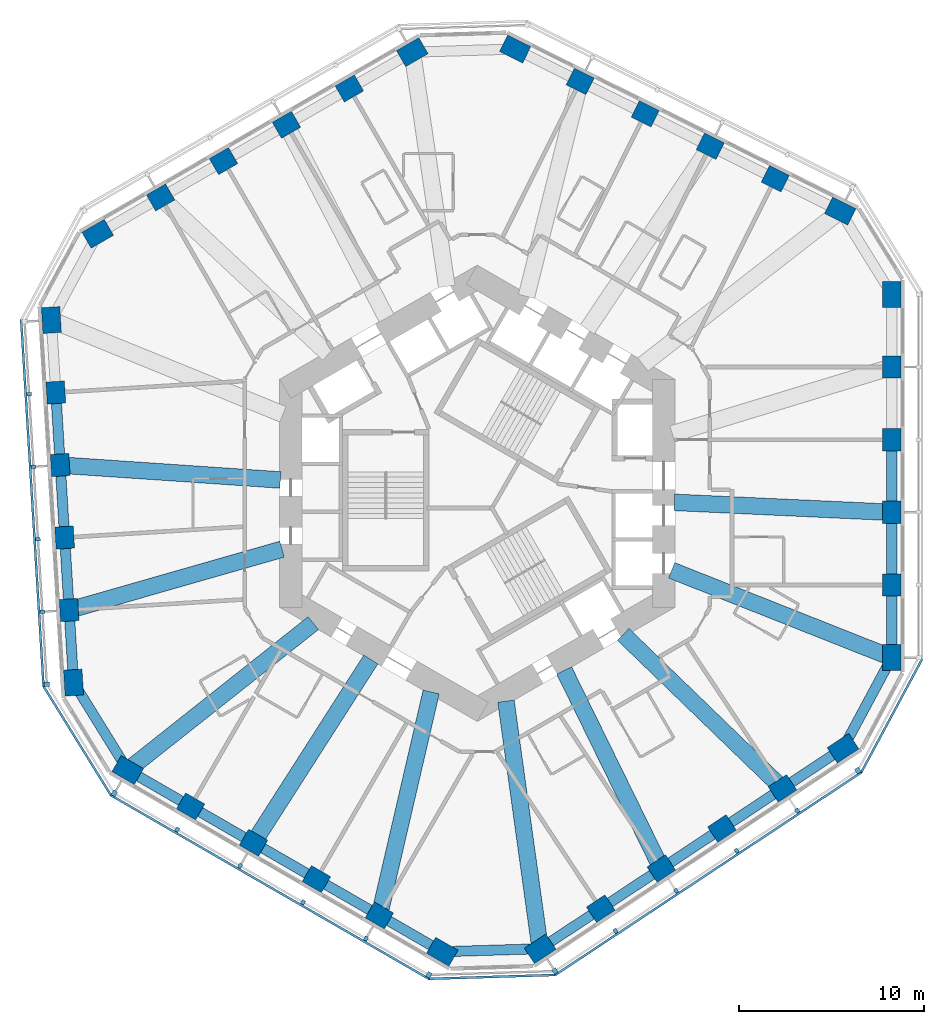
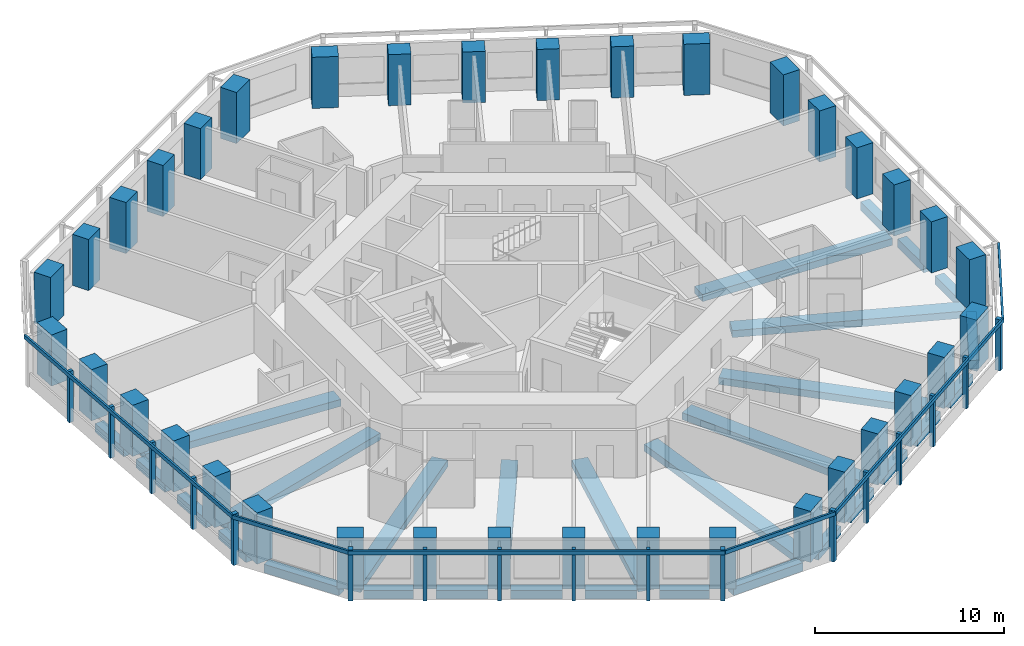
# One storey, part 1 of 12: 36 columns, 30 beams, 23 members, 6 elements without a shape of their own.
"""IFC4 building model written with IfcOpenShell, lengths in metres."""

import ifcopenshell
import ifcopenshell.guid

model = None  # the IFC model being written
_history = None  # IfcOwnerHistory: only IFC2X3 demands one
_inside = {}  # id of a spatial element -> (the spatial element, [elements in it])
_under = {}  # id of a project, library or spatial element -> (it, [spatial elements below it])
_declared = {}  # id of a project -> (the project, [libraries it declares])
_typed = {}  # id of a type object -> (the type object, [elements of that type])
_made_of = {}  # id of a material, layer set ... -> (it, [elements and type objects made of it])


def new_model(schema):
    """Start an empty IFC model of exactly this schema.

    Asked for "IFC4X3", IfcOpenShell would pick the latest addendum, in which some entities
    have other attributes; the version numbers below select the first issue.
    IFC2X3 requires an IfcOwnerHistory on every rooted entity: one is made here for all.
    """
    global model, _history
    if schema == "IFC4X3":
        model = ifcopenshell.file(schema_version=(4, 3, 0, 0))
    else:
        model = ifcopenshell.file(schema=schema)
    _inside.clear()
    _under.clear()
    _declared.clear()
    _typed.clear()
    _made_of.clear()
    _history = None
    if model.schema == "IFC2X3":
        org = make("IfcOrganization", Name="unknown")
        user = make(
            "IfcPersonAndOrganization",
            ThePerson=make("IfcPerson", FamilyName="unknown"),
            TheOrganization=org,
        )
        app = make(
            "IfcApplication",
            ApplicationDeveloper=org,
            Version="unknown",
            ApplicationFullName="unknown",
            ApplicationIdentifier="unknown",
        )
        _history = make(
            "IfcOwnerHistory",
            OwningUser=user,
            OwningApplication=app,
            ChangeAction="ADDED",
            CreationDate=0,
        )
    return model


def make(cls, **values):
    """One entity of the class cls with the attributes given. An attribute that is None is left unset."""
    return model.create_entity(
        cls, **{name: value for name, value in values.items() if value is not None}
    )


def rooted(cls, **values):
    """An entity with a GlobalId (a new one), such as an element, a storey or a relation."""
    return make(cls, GlobalId=ifcopenshell.guid.new(), OwnerHistory=_history, **values)


def si_unit(unit_type, name, prefix=None):
    """IfcSIUnit, for example si_unit("LENGTHUNIT", "METRE", prefix="MILLI")."""
    return make("IfcSIUnit", UnitType=unit_type, Prefix=prefix, Name=name)


def assignment(units):
    """IfcUnitAssignment: the units of a project."""
    return None if units is None else make("IfcUnitAssignment", Units=units)


def point(xyz):
    """IfcCartesianPoint."""
    return None if xyz is None else make("IfcCartesianPoint", Coordinates=xyz)


def direction(xyz):
    """IfcDirection."""
    return None if xyz is None else make("IfcDirection", DirectionRatios=xyz)


def frame(location, z_axis=None, x_axis=None):
    """IfcAxis2Placement3D, a coordinate frame: its origin and axes. An axis left out is left unset."""
    return make(
        "IfcAxis2Placement3D",
        Location=point(location),
        Axis=direction(z_axis),
        RefDirection=direction(x_axis),
    )


def frame_2d(location, x_axis=None):
    """IfcAxis2Placement2D, a coordinate frame in the plane: its origin and x axis."""
    return make(
        "IfcAxis2Placement2D", Location=point(location), RefDirection=direction(x_axis)
    )


def origin():
    """The frame at (0, 0, 0) with its axes left unset."""
    return frame((0.0, 0.0, 0.0))


def origin_2d():
    """The frame at (0, 0) in the plane with its x axis left unset."""
    return frame_2d((0.0, 0.0))


def place(relative_to, where):
    """IfcLocalPlacement: puts the frame where relative to a parent placement (None: the world)."""
    return make(
        "IfcLocalPlacement", PlacementRelTo=relative_to, RelativePlacement=where
    )


def context(
    kind, dimensions, precision=None, world=None, true_north=None, identifier=None
):
    """IfcGeometricRepresentationContext, for example the 3D "Model" context."""
    return make(
        "IfcGeometricRepresentationContext",
        ContextIdentifier=identifier,
        ContextType=kind,
        CoordinateSpaceDimension=dimensions,
        Precision=precision,
        WorldCoordinateSystem=world,
        TrueNorth=true_north,
    )


def subcontext(parent, identifier, kind, view, scale=None):
    """IfcGeometricRepresentationSubContext, for example "Body" below "Model"."""
    return make(
        "IfcGeometricRepresentationSubContext",
        ContextIdentifier=identifier,
        ContextType=kind,
        ParentContext=parent,
        TargetScale=scale,
        TargetView=view,
    )


def project(units=None, contexts=None):
    """IfcProject with its units and contexts."""
    return rooted(
        "IfcProject",
        Name="project",
        RepresentationContexts=contexts,
        UnitsInContext=assignment(units),
    )


def spatial(cls, under=None, at=None, **own):
    """A site, building, storey or space (cls), placed at a placement, below another one or the project."""
    s = rooted(cls, ObjectPlacement=at, **own)
    if under is not None:
        _under.setdefault(under.id(), (under, []))[1].append(s)
    return s


def profile(cls, at=None, kind="AREA", **sizes):
    """A parametric profile (cls). Its sizes go by their IFC names, for example OverallWidth=200.0."""
    return make(cls, ProfileType=kind, Position=at, **sizes)


def rectangle(**sizes):
    """IfcRectangleProfileDef."""
    return profile("IfcRectangleProfileDef", **sizes)


def extrude(swept, where, along, depth):
    """IfcExtrudedAreaSolid: the profile swept, set in the frame where, extruded along a direction by depth."""
    return make(
        "IfcExtrudedAreaSolid",
        SweptArea=swept,
        Position=where,
        ExtrudedDirection=direction(along),
        Depth=depth,
    )


def shape(context_of_items, identifier, shape_type, items):
    """IfcShapeRepresentation: the items that make up one representation, for example the "Body"."""
    return make(
        "IfcShapeRepresentation",
        ContextOfItems=context_of_items,
        RepresentationIdentifier=identifier,
        RepresentationType=shape_type,
        Items=items,
    )


def material(Name=None, Category=None):
    """IfcMaterial."""
    return make("IfcMaterial", Name=Name, Category=Category)


def material_profile(
    of_material, cross_section, Name=None, Category=None, Priority=None
):
    """IfcMaterialProfile: a cross section and its material."""
    return make(
        "IfcMaterialProfile",
        Name=Name,
        Material=of_material,
        Profile=cross_section,
        Priority=Priority,
        Category=Category,
    )


def profile_set(profiles, Name=None, composite=None):
    """IfcMaterialProfileSet."""
    return make(
        "IfcMaterialProfileSet",
        Name=Name,
        MaterialProfiles=profiles,
        CompositeProfile=composite,
    )


def made_of(thing, what):
    """Note that an element or type object is made of a material, layer set ...; save() writes the relation."""
    if what is not None:
        _made_of.setdefault(what.id(), (what, []))[1].append(thing)
    return thing


def type_object(cls, material=None, **own):
    """A type object (cls), such as IfcWallType, which elements share."""
    return made_of(rooted(cls, **own), material)


def element(
    cls,
    number,
    at=None,
    inside=None,
    cuts=None,
    type_object=None,
    material=None,
    context=None,
    identifier="Body",
    shape_type=None,
    held_by="IfcProductDefinitionShape",
    body=None,
    shapes=None,
    **own,
):
    """One element of the class cls, such as IfcWall. Its Tag is "e" and its number.

    at: its placement. inside: the storey or other place that contains it. cuts: it is an
    opening in that element (IfcRelVoidsElement). A single representation is given by context,
    identifier, shape_type and body (its items); several are given by shapes. held_by: the class
    of the entity that holds the representations. save() writes the other relations.
    """
    e = rooted(cls, Tag="e%d" % number, ObjectPlacement=at, **own)
    if body is not None:
        shapes = [shape(context, identifier, shape_type, body)]
    if shapes is not None:
        e.Representation = make(held_by, Representations=shapes)
    if inside is not None:
        _inside.setdefault(inside.id(), (inside, []))[1].append(e)
    if cuts is not None:
        rooted(
            "IfcRelVoidsElement", RelatingBuildingElement=cuts, RelatedOpeningElement=e
        )
    if type_object is not None:
        _typed.setdefault(type_object.id(), (type_object, []))[1].append(e)
    return made_of(e, material)


def aggregate(whole, parts):
    """IfcRelAggregates: a whole, such as a stair, and the parts it consists of."""
    return rooted("IfcRelAggregates", RelatingObject=whole, RelatedObjects=parts)


def save(model, path):
    """Write the relations noted so far, then the file.

    IfcRelAggregates (storeys below a building ...), IfcRelContainedInSpatialStructure (elements
    in a storey), IfcRelDefinesByType, IfcRelAssociatesMaterial and IfcRelDeclares: one each for
    every whole, place, type object, material and project.
    """
    for whole, parts in _under.values():
        aggregate(whole, parts)
    for where, things in _inside.values():
        rooted(
            "IfcRelContainedInSpatialStructure",
            RelatedElements=things,
            RelatingStructure=where,
        )
    for kind, things in _typed.values():
        rooted("IfcRelDefinesByType", RelatedObjects=things, RelatingType=kind)
    for what, things in _made_of.values():
        rooted("IfcRelAssociatesMaterial", RelatedObjects=things, RelatingMaterial=what)
    for by, libraries in _declared.values():
        rooted("IfcRelDeclares", RelatingContext=by, RelatedDefinitions=libraries)
    model.write(path)


model = new_model("IFC4")

# Units and contexts
model_context = context("Model", 3, precision=1e-05, world=origin(), true_north=direction((0.0, 1.0)))
body_context = subcontext(model_context, "Body", "Model", "MODEL_VIEW")
ifc_project = project(units=[si_unit("LENGTHUNIT", "METRE"), si_unit("AREAUNIT", "SQUARE_METRE"), si_unit("VOLUMEUNIT", "CUBIC_METRE"), si_unit("PLANEANGLEUNIT", "RADIAN"), si_unit("MASSUNIT", "GRAM", prefix="KILO")], contexts=[model_context])

# Site, building, storey
site_placement = place(None, origin())
site = spatial("IfcSite", under=ifc_project, at=site_placement, CompositionType="ELEMENT")
building_placement = place(site_placement, origin())
building = spatial("IfcBuilding", under=site, at=building_placement, Name="Vanh Sen Convention Tower", CompositionType="ELEMENT")
storey_placement = place(building_placement, frame((0.0, 0.0, 67.10009765625)))
storey = spatial("IfcBuildingStorey", under=building, at=storey_placement, Name="L14", CompositionType="ELEMENT", Elevation=67.10009765625)

# Columns
ifc_material_1 = material(Name="Concrete C80/95", Category="concrete")
ifc_material_profile_1 = material_profile(ifc_material_1, rectangle(XDim=1.199951171875, YDim=1.0, at=origin_2d()), Name="RC 1200X1000")
ifc_profile_set_1 = profile_set([ifc_material_profile_1], Name="Concrete C80/95")
column_type_1 = type_object("IfcColumnType", Name="Facade column 1200 x 1000 C80/95", PredefinedType="COLUMN", material=ifc_profile_set_1)
for number, where, z_axis, x_axis, name in (
    (1, (22.449951171875, -4.964599609375, 0.0), (0.0, 0.0, 1.0), (0.0, 1.0, 0.0), "Facade column 02 L14"),
    (2, (22.449951171875, -1.030029296875, 0.0), (0.0, 0.0, 1.0), (0.0, 1.0, 0.0), "Facade column 03 L14"),
    (3, (22.449951171875, 2.904541015625, 0.0), (0.0, 0.0, 1.0), (0.0, 1.0, 0.0), "Facade column 04 L14"),
    (4, (22.449951171875, 6.839111328125, 0.0), (0.0, 0.0, 1.0), (0.0, 1.0, 0.0), "Facade column 05 L14"),
    (5, (16.1376953125, 17.039794921875, 0.0), (0.0, 0.0, 1.0), (-0.894934361602, 0.44619781311, 0.0), "Facade column 08 L14"),
    (6, (12.616455078125, 18.79541015625, 0.0), (0.0, 0.0, 1.0), (-0.894934361602, 0.44619781311, 0.0), "Facade column 09 L14"),
    (7, (9.09521484375, 20.55078125, 0.0), (0.0, 0.0, 1.0), (-0.894934361602, 0.44619781311, 0.0), "Facade column 10 L14"),
    (8, (5.57421875, 22.306396484375, 0.0), (0.0, 0.0, 1.0), (-0.894934361602, 0.44619781311, 0.0), "Facade column 11 L14"),
    (9, (-6.925537109375, 21.924560546875, 0.0), (0.0, 0.0, 1.0), (-0.866025403784, -0.5, 0.0), "Facade column 14 L14"),
    (10, (-10.3330078125, 19.957275390625, 0.0), (0.0, 0.0, 1.0), (-0.866025403784, -0.5, 0.0), "Facade column 15 L14"),
    (11, (-13.740478515625, 17.989990234375, 0.0), (0.0, 0.0, 1.0), (-0.866025403784, -0.5, 0.0), "Facade column 16 L14"),
    (12, (-17.14794921875, 16.022705078125, 0.0), (0.0, 0.0, 1.0), (-0.866025403784, -0.5, 0.0), "Facade column 17 L14"),
    (13, (-22.82568359375, 5.455810546875, 0.0), (0.0, 0.0, 1.0), (0.061048539535, -0.998134798422, 0.0), "Facade column 20 L14"),
    (14, (-22.58544921875, 1.528564453125, 0.0), (0.0, 0.0, 1.0), (0.061048539535, -0.998134798422, 0.0), "Facade column 21 L14"),
    (15, (-22.34521484375, -2.398681640625, 0.0), (0.0, 0.0, 1.0), (0.061048539535, -0.998134798422, 0.0), "Facade column 22 L14"),
    (16, (-22.10498046875, -6.325927734375, 0.0), (0.0, 0.0, 1.0), (0.061048539535, -0.998134798422, 0.0), "Facade column 23 L14"),
    (17, (-15.5244140625, -16.9599609375, 0.0), (0.0, 0.0, 1.0), (0.866025403784, -0.5, 0.0), "Facade column 26 L14"),
    (18, (-12.1171875, -18.92724609375, 0.0), (0.0, 0.0, 1.0), (0.866025403784, -0.5, 0.0), "Facade column 27 L14"),
    (19, (-8.709716796875, -20.89453125, 0.0), (0.0, 0.0, 1.0), (0.866025403784, -0.5, 0.0), "Facade column 28 L14"),
    (20, (-5.302001953125, -22.86181640625, 0.0), (0.0, 0.0, 1.0), (0.866025403784, -0.5, 0.0), "Facade column 29 L14"),
    (21, (6.68798828125, -22.49560546875, 0.0), (0.0, 0.0, 1.0), (0.833885822067, 0.551936985312, 0.0), "Facade column 32 L14"),
    (22, (9.968994140625, -20.323974609375, 0.0), (0.0, 0.0, 1.0), (0.833885822067, 0.551936985312, 0.0), "Facade column 33 L14"),
    (23, (13.25, -18.152099609375, 0.0), (0.0, 0.0, 1.0), (0.833885822067, 0.551936985312, 0.0), "Facade column 34 L14"),
    (24, (16.531005859375, -15.980712890625, 0.0), (0.0, 0.0, 1.0), (0.833885822067, 0.551936985312, 0.0), "Facade column 35 L14"),
):
    element("IfcColumn", number, at=place(storey_placement, frame(where, z_axis=z_axis, x_axis=x_axis)), inside=storey, type_object=column_type_1, Name=name, PredefinedType="COLUMN", context=body_context, shape_type="SweptSolid", body=[
        extrude(rectangle(XDim=1.199951171875, YDim=1.0, at=origin_2d()), origin(), (0.0, 0.0, 1.0), 3.2998046875),
    ])
ifc_material_profile_2 = material_profile(ifc_material_1, rectangle(XDim=1.39990234375, YDim=1.0, at=origin_2d()), Name="RC 1400X1000")
ifc_profile_set_2 = profile_set([ifc_material_profile_2], Name="Concrete C80/95")
column_type_2 = type_object("IfcColumnType", Name="Facade corner column 1400 x 1000 C80/95", PredefinedType="COLUMN", material=ifc_profile_set_2)
for number, where, z_axis, x_axis, name in (
    (25, (22.449951171875, -8.899169921875, 0.0), (0.0, 0.0, 1.0), (0.0, 1.0, 0.0), "Facade column 01 L14"),
    (26, (22.449951171875, 10.773681640625, 0.0), (0.0, 0.0, 1.0), (0.0, 1.0, 0.0), "Facade column 06 L14"),
    (27, (19.658935546875, 15.2841796875, 0.0), (0.0, 0.0, 1.0), (-0.894934361602, 0.44619781311, 0.0), "Facade column 07 L14"),
    (28, (2.052978515625, 24.06201171875, 0.0), (0.0, 0.0, 1.0), (-0.894934361602, 0.44619781311, 0.0), "Facade column 12 L14"),
    (29, (-3.51806640625, 23.891845703125, 0.0), (0.0, 0.0, 1.0), (-0.866025403784, -0.5, 0.0), "Facade column 13 L14"),
    (30, (-20.555419921875, 14.055419921875, 0.0), (0.0, 0.0, 1.0), (-0.866025403784, -0.5, 0.0), "Facade column 18 L14"),
    (31, (-23.06591796875, 9.383056640625, 0.0), (0.0, 0.0, 1.0), (0.061048539535, -0.998134798422, 0.0), "Facade column 19 L14"),
    (32, (-21.86474609375, -10.253173828125, 0.0), (0.0, 0.0, 1.0), (0.061048539535, -0.998134798422, 0.0), "Facade column 24 L14"),
    (33, (-18.931884765625, -14.99267578125, 0.0), (0.0, 0.0, 1.0), (0.866025403784, -0.5, 0.0), "Facade column 25 L14"),
    (34, (-1.894775390625, -24.8291015625, 0.0), (0.0, 0.0, 1.0), (0.866025403784, -0.5, 0.0), "Facade column 30 L14"),
    (35, (3.406982421875, -24.6669921875, 0.0), (0.0, 0.0, 1.0), (0.833885822067, 0.551936985312, 0.0), "Facade column 31 L14"),
    (36, (19.81201171875, -13.808837890625, 0.0), (0.0, 0.0, 1.0), (0.833885822067, 0.551936985312, 0.0), "Facade column 36 L14"),
):
    element("IfcColumn", number, at=place(storey_placement, frame(where, z_axis=z_axis, x_axis=x_axis)), inside=storey, type_object=column_type_2, Name=name, PredefinedType="COLUMN", context=body_context, shape_type="SweptSolid", body=[
        extrude(rectangle(XDim=1.39990234375, YDim=1.0, at=origin_2d()), origin(), (0.0, 0.0, 1.0), 3.2998046875),
    ])

# Curtain wall, member
ifc_material_2 = material(Name="Concrete C50/60", Category="concrete")
curtain_wall_type = type_object("IfcCurtainWallType", Name="Outer skin hotel zone", PredefinedType="NOTDEFINED", material=ifc_material_2)
curtain_wall_1_placement = place(storey_placement, origin())
curtain_wall_1 = element("IfcCurtainWall", 37, at=curtain_wall_1_placement, inside=storey, type_object=curtain_wall_type, Name="OUTER SKIN W L14", PredefinedType="NOTDEFINED")
ifc_material_profile_3 = material_profile(ifc_material_2, rectangle(XDim=0.25, YDim=0.300048828125, at=origin_2d()), Name="Outer skin precast corner fin 250 x 300")
ifc_profile_set_3 = profile_set([ifc_material_profile_3], Name="Concrete C50/60")
member_type_1 = type_object("IfcMemberType", Name="Outer skin precast corner fin 250 x 300", PredefinedType="MULLION", material=ifc_profile_set_3)
member_1_placement = place(storey_placement, frame((-23.31201171875, -10.341796875, 0.0), z_axis=(0.0, 0.0, 1.0), x_axis=(0.061048539535, -0.998134798422, 0.0)))
member_1 = element("IfcMember", 38, at=member_1_placement, type_object=member_type_1, Name="OUTER SKIN CORNER FIN 6 W L14", PredefinedType="MULLION", context=body_context, shape_type="SweptSolid", body=[
    extrude(rectangle(XDim=0.25, YDim=0.300048828125, at=origin_2d()), origin(), (0.0, 0.0, 1.0), 3.2998046875),
])

# Curtain wall, members
curtain_wall_2_placement = place(storey_placement, origin())
curtain_wall_2 = element("IfcCurtainWall", 39, at=curtain_wall_2_placement, inside=storey, type_object=curtain_wall_type, Name="OUTER SKIN SW L14", PredefinedType="NOTDEFINED")
member_2_placement = place(storey_placement, frame((-19.656982421875, -16.248291015625, 0.0), z_axis=(0.0, 0.0, 1.0), x_axis=(0.866025403784, -0.5, 0.0)))
member_2 = element("IfcMember", 40, at=member_2_placement, type_object=member_type_1, Name="OUTER SKIN CORNER FIN 1 SW L14", PredefinedType="MULLION", context=body_context, shape_type="SweptSolid", body=[
    extrude(rectangle(XDim=0.25, YDim=0.300048828125, at=origin_2d()), origin(), (0.0, 0.0, 1.0), 3.2998046875),
])
member_3_placement = place(storey_placement, frame((-2.61962890625, -26.084716796875, 0.0), z_axis=(0.0, 0.0, 1.0), x_axis=(0.866025403784, -0.5, 0.0)))
member_3 = element("IfcMember", 41, at=member_3_placement, type_object=member_type_1, Name="OUTER SKIN CORNER FIN 6 SW L14", PredefinedType="MULLION", context=body_context, shape_type="SweptSolid", body=[
    extrude(rectangle(XDim=0.25, YDim=0.300048828125, at=origin_2d()), origin(), (0.0, 0.0, 1.0), 3.2998046875),
])

curtain_wall_3_placement = place(storey_placement, origin())
curtain_wall_3 = element("IfcCurtainWall", 42, at=curtain_wall_3_placement, inside=storey, type_object=curtain_wall_type, Name="OUTER SKIN SE L14", PredefinedType="NOTDEFINED")
member_4_placement = place(storey_placement, frame((4.207275390625, -25.876220703125, 0.0), z_axis=(0.0, 0.0, 1.0), x_axis=(0.833885822067, 0.551936985312, 0.0)))
member_4 = element("IfcMember", 43, at=member_4_placement, type_object=member_type_1, Name="OUTER SKIN CORNER FIN 1 SE L14", PredefinedType="MULLION", context=body_context, shape_type="SweptSolid", body=[
    extrude(rectangle(XDim=0.25, YDim=0.300048828125, at=origin_2d()), origin(), (0.0, 0.0, 1.0), 3.2998046875),
])
member_5_placement = place(storey_placement, frame((20.6123046875, -15.01806640625, 0.0), z_axis=(0.0, 0.0, 1.0), x_axis=(0.833885822067, 0.551936985312, 0.0)))
member_5 = element("IfcMember", 44, at=member_5_placement, type_object=member_type_1, Name="OUTER SKIN CORNER FIN 6 SE L14", PredefinedType="MULLION", context=body_context, shape_type="SweptSolid", body=[
    extrude(rectangle(XDim=0.25, YDim=0.300048828125, at=origin_2d()), origin(), (0.0, 0.0, 1.0), 3.2998046875),
])

# Member
ifc_material_profile_4 = material_profile(ifc_material_2, rectangle(XDim=0.199951171875, YDim=0.25, at=origin_2d()), Name="Outer skin precast fin 200 x 250")
ifc_profile_set_4 = profile_set([ifc_material_profile_4], Name="Concrete C50/60")
member_type_2 = type_object("IfcMemberType", Name="Outer skin precast fin 200 x 250", PredefinedType="MULLION", material=ifc_profile_set_4)
member_6_placement = place(storey_placement, frame((-24.27294921875, 5.3671875, 0.0), z_axis=(0.0, 0.0, 1.0), x_axis=(0.061048539535, -0.998134798422, 0.0)))
member_6 = element("IfcMember", 45, at=member_6_placement, type_object=member_type_2, Name="OUTER SKIN fin 2 W L14", PredefinedType="MULLION", context=body_context, shape_type="SweptSolid", body=[
    extrude(rectangle(XDim=0.199951171875, YDim=0.25, at=origin_2d()), origin(), (0.0, 0.0, 1.0), 3.2998046875),
])

member_7_placement = place(storey_placement, frame((-24.03271484375, 1.440185546875, 0.0), z_axis=(0.0, 0.0, 1.0), x_axis=(0.061048539535, -0.998134798422, 0.0)))
member_7 = element("IfcMember", 46, at=member_7_placement, type_object=member_type_2, Name="OUTER SKIN fin 3 W L14", PredefinedType="MULLION", context=body_context, shape_type="SweptSolid", body=[
    extrude(rectangle(XDim=0.199951171875, YDim=0.25, at=origin_2d()), origin(), (0.0, 0.0, 1.0), 3.2998046875),
])

member_8_placement = place(storey_placement, frame((-23.79248046875, -2.4873046875, 0.0), z_axis=(0.0, 0.0, 1.0), x_axis=(0.061048539535, -0.998134798422, 0.0)))
member_8 = element("IfcMember", 47, at=member_8_placement, type_object=member_type_2, Name="OUTER SKIN fin 4 W L14", PredefinedType="MULLION", context=body_context, shape_type="SweptSolid", body=[
    extrude(rectangle(XDim=0.199951171875, YDim=0.25, at=origin_2d()), origin(), (0.0, 0.0, 1.0), 3.2998046875),
])

member_9_placement = place(storey_placement, frame((-23.55224609375, -6.414306640625, 0.0), z_axis=(0.0, 0.0, 1.0), x_axis=(0.061048539535, -0.998134798422, 0.0)))
member_9 = element("IfcMember", 48, at=member_9_placement, type_object=member_type_2, Name="OUTER SKIN fin 5 W L14", PredefinedType="MULLION", context=body_context, shape_type="SweptSolid", body=[
    extrude(rectangle(XDim=0.199951171875, YDim=0.25, at=origin_2d()), origin(), (0.0, 0.0, 1.0), 3.2998046875),
])

member_10_placement = place(storey_placement, frame((-16.24951171875, -18.2158203125, 0.0), z_axis=(0.0, 0.0, 1.0), x_axis=(0.866025403784, -0.5, 0.0)))
member_10 = element("IfcMember", 49, at=member_10_placement, type_object=member_type_2, Name="OUTER SKIN fin 2 SW L14", PredefinedType="MULLION", context=body_context, shape_type="SweptSolid", body=[
    extrude(rectangle(XDim=0.199951171875, YDim=0.25, at=origin_2d()), origin(), (0.0, 0.0, 1.0), 3.2998046875),
])

member_11_placement = place(storey_placement, frame((-12.842041015625, -20.182861328125, 0.0), z_axis=(0.0, 0.0, 1.0), x_axis=(0.866025403784, -0.5, 0.0)))
member_11 = element("IfcMember", 50, at=member_11_placement, type_object=member_type_2, Name="OUTER SKIN fin 3 SW L14", PredefinedType="MULLION", context=body_context, shape_type="SweptSolid", body=[
    extrude(rectangle(XDim=0.199951171875, YDim=0.25, at=origin_2d()), origin(), (0.0, 0.0, 1.0), 3.2998046875),
])

member_12_placement = place(storey_placement, frame((-9.4345703125, -22.150146484375, 0.0), z_axis=(0.0, 0.0, 1.0), x_axis=(0.866025403784, -0.5, 0.0)))
member_12 = element("IfcMember", 51, at=member_12_placement, type_object=member_type_2, Name="OUTER SKIN fin 4 SW L14", PredefinedType="MULLION", context=body_context, shape_type="SweptSolid", body=[
    extrude(rectangle(XDim=0.199951171875, YDim=0.25, at=origin_2d()), origin(), (0.0, 0.0, 1.0), 3.2998046875),
])

member_13_placement = place(storey_placement, frame((-6.027099609375, -24.117431640625, 0.0), z_axis=(0.0, 0.0, 1.0), x_axis=(0.866025403784, -0.5, 0.0)))
member_13 = element("IfcMember", 52, at=member_13_placement, type_object=member_type_2, Name="OUTER SKIN fin 5 SW L14", PredefinedType="MULLION", context=body_context, shape_type="SweptSolid", body=[
    extrude(rectangle(XDim=0.199951171875, YDim=0.25, at=origin_2d()), origin(), (0.0, 0.0, 1.0), 3.2998046875),
])

member_14_placement = place(storey_placement, frame((7.48828125, -23.70458984375, 0.0), z_axis=(0.0, 0.0, 1.0), x_axis=(0.833885822067, 0.551936985312, 0.0)))
member_14 = element("IfcMember", 53, at=member_14_placement, type_object=member_type_2, Name="OUTER SKIN fin 2 SE L14", PredefinedType="MULLION", context=body_context, shape_type="SweptSolid", body=[
    extrude(rectangle(XDim=0.199951171875, YDim=0.25, at=origin_2d()), origin(), (0.0, 0.0, 1.0), 3.2998046875),
])

member_15_placement = place(storey_placement, frame((10.769287109375, -21.532958984375, 0.0), z_axis=(0.0, 0.0, 1.0), x_axis=(0.833885822067, 0.551936985312, 0.0)))
member_15 = element("IfcMember", 54, at=member_15_placement, type_object=member_type_2, Name="OUTER SKIN fin 3 SE L14", PredefinedType="MULLION", context=body_context, shape_type="SweptSolid", body=[
    extrude(rectangle(XDim=0.199951171875, YDim=0.25, at=origin_2d()), origin(), (0.0, 0.0, 1.0), 3.2998046875),
])

member_16_placement = place(storey_placement, frame((14.05029296875, -19.361328125, 0.0), z_axis=(0.0, 0.0, 1.0), x_axis=(0.833885822067, 0.551936985312, 0.0)))
member_16 = element("IfcMember", 55, at=member_16_placement, type_object=member_type_2, Name="OUTER SKIN fin 4 SE L14", PredefinedType="MULLION", context=body_context, shape_type="SweptSolid", body=[
    extrude(rectangle(XDim=0.199951171875, YDim=0.25, at=origin_2d()), origin(), (0.0, 0.0, 1.0), 3.2998046875),
])

member_17_placement = place(storey_placement, frame((17.331298828125, -17.189697265625, 0.0), z_axis=(0.0, 0.0, 1.0), x_axis=(0.833885822067, 0.551936985312, 0.0)))
member_17 = element("IfcMember", 56, at=member_17_placement, type_object=member_type_2, Name="OUTER SKIN fin 5 SE L14", PredefinedType="MULLION", context=body_context, shape_type="SweptSolid", body=[
    extrude(rectangle(XDim=0.199951171875, YDim=0.25, at=origin_2d()), origin(), (0.0, 0.0, 1.0), 3.2998046875),
])

ifc_material_profile_5 = material_profile(ifc_material_2, rectangle(XDim=0.1201171875, YDim=0.25, at=origin_2d()), Name="Outer skin precast spandrel band 250 x 120")
ifc_profile_set_5 = profile_set([ifc_material_profile_5], Name="Concrete C50/60")
member_type_3 = type_object("IfcMemberType", Name="Outer skin precast spandrel band 250 x 120", PredefinedType="USERDEFINED", material=ifc_profile_set_5)
member_18_placement = place(storey_placement, frame((-24.705322265625, 9.408203125, 3.1748046875), z_axis=(0.061050017989, -0.998134707995, 0.0), x_axis=(0.998134707995, 0.061050017989, 0.0)))
member_18 = element("IfcMember", 57, at=member_18_placement, type_object=member_type_3, Name="OUTER SKIN spandrel band W L14", ObjectType="TRANSOM", PredefinedType="USERDEFINED", context=body_context, shape_type="SweptSolid", body=[
    extrude(rectangle(XDim=0.1201171875, YDim=0.25, at=origin_2d()), origin(), (0.0, 0.0, 1.0), 19.923095703125),
])

aggregate(curtain_wall_1, [member_6, member_7, member_8, member_9, member_1, member_18])

# Curtain wall, member
curtain_wall_4_placement = place(storey_placement, origin())
curtain_wall_4 = element("IfcCurtainWall", 58, at=curtain_wall_4_placement, inside=storey, type_object=curtain_wall_type, Name="OUTER SKIN CH4 L14", PredefinedType="NOTDEFINED")
member_19_placement = place(storey_placement, frame((-23.49072265625, -10.4521484375, 3.1748046875), z_axis=(0.526196095141, -0.850363257354, 0.0), x_axis=(0.850363257354, 0.526196095141, 0.0)))
member_19 = element("IfcMember", 59, at=member_19_placement, type_object=member_type_3, Name="OUTER SKIN spandrel band CH4 L14", ObjectType="TRANSOM", PredefinedType="USERDEFINED", context=body_context, shape_type="SweptSolid", body=[
    extrude(rectangle(XDim=0.1201171875, YDim=0.25, at=origin_2d()), origin(), (0.0, 0.0, 1.0), 6.946044921875),
])
aggregate(curtain_wall_4, [member_19])

# Member
member_20_placement = place(storey_placement, frame((-19.85791015625, -16.34619140625, 3.1748046875), z_axis=(0.866028047459, -0.499995420993, 0.0), x_axis=(0.499995420993, 0.866028047459, 0.0)))
member_20 = element("IfcMember", 60, at=member_20_placement, type_object=member_type_3, Name="OUTER SKIN spandrel band SW L14", ObjectType="TRANSOM", PredefinedType="USERDEFINED", context=body_context, shape_type="SweptSolid", body=[
    extrude(rectangle(XDim=0.1201171875, YDim=0.25, at=origin_2d()), origin(), (0.0, 0.0, 1.0), 19.923095703125),
])

aggregate(curtain_wall_2, [member_2, member_10, member_11, member_12, member_13, member_3, member_20])

# Curtain wall, member
curtain_wall_5_placement = place(storey_placement, origin())
curtain_wall_5 = element("IfcCurtainWall", 61, at=curtain_wall_5_placement, inside=storey, type_object=curtain_wall_type, Name="OUTER SKIN CH5 L14", PredefinedType="NOTDEFINED")
member_21_placement = place(storey_placement, frame((-2.61328125, -26.294677734375, 3.1748046875), z_axis=(0.99953396928, 0.030526124156, 0.0), x_axis=(-0.030526124156, 0.99953396928, 0.0)))
member_21 = element("IfcMember", 62, at=member_21_placement, type_object=member_type_3, Name="OUTER SKIN spandrel band CH5 L14", ObjectType="TRANSOM", PredefinedType="USERDEFINED", context=body_context, shape_type="SweptSolid", body=[
    extrude(rectangle(XDim=0.1201171875, YDim=0.25, at=origin_2d()), origin(), (0.0, 0.0, 1.0), 6.830078125),
])
aggregate(curtain_wall_5, [member_21])

# Member
member_22_placement = place(storey_placement, frame((4.205078125, -26.099609375, 3.1748046875), z_axis=(0.833883851182, 0.551939962984, 0.0), x_axis=(-0.551939962984, 0.833883851182, 0.0)))
member_22 = element("IfcMember", 63, at=member_22_placement, type_object=member_type_3, Name="OUTER SKIN spandrel band SE L14", ObjectType="TRANSOM", PredefinedType="USERDEFINED", context=body_context, shape_type="SweptSolid", body=[
    extrude(rectangle(XDim=0.1201171875, YDim=0.25, at=origin_2d()), origin(), (0.0, 0.0, 1.0), 19.923095703125),
])

aggregate(curtain_wall_3, [member_4, member_14, member_15, member_16, member_17, member_5, member_22])

# Curtain wall, member
curtain_wall_6_placement = place(storey_placement, origin())
curtain_wall_6 = element("IfcCurtainWall", 64, at=curtain_wall_6_placement, inside=storey, type_object=curtain_wall_type, Name="OUTER SKIN CH6 L14", PredefinedType="NOTDEFINED")
member_23_placement = place(storey_placement, frame((20.797119140625, -15.117431640625, 3.1748046875), z_axis=(0.473324148816, 0.880888330123, 0.0), x_axis=(-0.880888330123, 0.473324148816, 0.0)))
member_23 = element("IfcMember", 65, at=member_23_placement, type_object=member_type_3, Name="OUTER SKIN spandrel band CH6 L14", ObjectType="TRANSOM", PredefinedType="USERDEFINED", context=body_context, shape_type="SweptSolid", body=[
    extrude(rectangle(XDim=0.1201171875, YDim=0.25, at=origin_2d()), origin(), (0.0, 0.0, 1.0), 6.9462890625),
])
aggregate(curtain_wall_6, [member_23])

# Beams
ifc_material_3 = material(Name="Concrete C50/60", Category="concrete")
ifc_material_profile_6 = material_profile(ifc_material_3, rectangle(XDim=0.89990234375, YDim=0.449951171875, at=origin_2d()), Name="RC 900X450")
ifc_profile_set_6 = profile_set([ifc_material_profile_6], Name="Concrete C50/60")
beam_type_1 = type_object("IfcBeamType", Name="Radial floor beam 900 x 450", PredefinedType="BEAM", material=ifc_profile_set_6)
beam_1_placement = place(storey_placement, frame((22.12060546875, -8.7685546875, -0.47509765625), z_axis=(-0.929625441153, 0.368505819713, 0.0), x_axis=(-0.368505819713, -0.929625441153, 0.0)))
element("IfcBeam", 66, at=beam_1_placement, inside=storey, type_object=beam_type_1, Name="Radial beam 01 L14", PredefinedType="BEAM", context=body_context, shape_type="SweptSolid", body=[
    extrude(rectangle(XDim=0.89990234375, YDim=0.449951171875, at=origin_2d()), origin(), (0.0, 0.0, 1.0), 12.468505859375),
])
beam_2_placement = place(storey_placement, frame((21.9755859375, -1.00830078125, -0.47509765625), z_axis=(-0.998948959247, 0.045836413684, 0.0), x_axis=(-0.045836413684, -0.998948959247, 0.0)))
element("IfcBeam", 67, at=beam_2_placement, inside=storey, type_object=beam_type_1, Name="Radial beam 02 L14", PredefinedType="BEAM", context=body_context, shape_type="SweptSolid", body=[
    extrude(rectangle(XDim=0.89990234375, YDim=0.449951171875, at=origin_2d()), origin(), (0.0, 0.0, 1.0), 11.313232421875),
])
beam_3_placement = place(storey_placement, frame((-22.1455078125, 1.498779296875, -0.47509765625), z_axis=(0.997717146338, -0.067531443814, 0.0), x_axis=(0.067531443814, 0.997717146338, 0.0)))
element("IfcBeam", 68, at=beam_3_placement, inside=storey, type_object=beam_type_1, Name="Radial beam 11 L14", PredefinedType="BEAM", context=body_context, shape_type="SweptSolid", body=[
    extrude(rectangle(XDim=0.89990234375, YDim=0.449951171875, at=origin_2d()), origin(), (0.0, 0.0, 1.0), 11.50732421875),
])
beam_4_placement = place(storey_placement, frame((-21.713134765625, -6.2138671875, -0.47509765625), z_axis=(0.96140779783, 0.27512732738, 0.0), x_axis=(-0.27512732738, 0.96140779783, 0.0)))
element("IfcBeam", 69, at=beam_4_placement, inside=storey, type_object=beam_type_1, Name="Radial beam 12 L14", PredefinedType="BEAM", context=body_context, shape_type="SweptSolid", body=[
    extrude(rectangle(XDim=0.89990234375, YDim=0.449951171875, at=origin_2d()), origin(), (0.0, 0.0, 1.0), 11.589111328125),
])
beam_5_placement = place(storey_placement, frame((-18.654052734375, -14.772705078125, -0.47509765625), z_axis=(0.783950127039, 0.620823806177, 0.0), x_axis=(-0.620823806177, 0.783950127039, 0.0)))
element("IfcBeam", 70, at=beam_5_placement, inside=storey, type_object=beam_type_1, Name="Radial beam 13 L14", PredefinedType="BEAM", context=body_context, shape_type="SweptSolid", body=[
    extrude(rectangle(XDim=0.89990234375, YDim=0.449951171875, at=origin_2d()), origin(), (0.0, 0.0, 1.0), 12.468505859375),
])
beam_6_placement = place(storey_placement, frame((-11.861083984375, -18.52734375, -0.47509765625), z_axis=(0.539166370538, 0.842199278604, 0.0), x_axis=(-0.842199278604, 0.539166370538, 0.0)))
element("IfcBeam", 71, at=beam_6_placement, inside=storey, type_object=beam_type_1, Name="Radial beam 14 L14", PredefinedType="BEAM", context=body_context, shape_type="SweptSolid", body=[
    extrude(rectangle(XDim=0.89990234375, YDim=0.449951171875, at=origin_2d()), origin(), (0.0, 0.0, 1.0), 11.31298828125),
])
beam_7_placement = place(storey_placement, frame((-5.216064453125, -22.4912109375, -0.47509765625), z_axis=(0.225903026676, 0.974149794713, 0.0), x_axis=(-0.974149794713, 0.225903026676, 0.0)))
element("IfcBeam", 72, at=beam_7_placement, inside=storey, type_object=beam_type_1, Name="Radial beam 15 L14", PredefinedType="BEAM", context=body_context, shape_type="SweptSolid", body=[
    extrude(rectangle(XDim=0.89990234375, YDim=0.449951171875, at=origin_2d()), origin(), (0.0, 0.0, 1.0), 12.044677734375),
])
beam_8_placement = place(storey_placement, frame((3.361328125, -24.336669921875, -0.47509765625), z_axis=(-0.13682259219, 0.990595567457, 0.0), x_axis=(-0.990595567457, -0.13682259219, 0.0)))
element("IfcBeam", 73, at=beam_8_placement, inside=storey, type_object=beam_type_1, Name="Radial beam 16 L14", PredefinedType="BEAM", context=body_context, shape_type="SweptSolid", body=[
    extrude(rectangle(XDim=0.89990234375, YDim=0.449951171875, at=origin_2d()), origin(), (0.0, 0.0, 1.0), 13.204345703125),
])
beam_9_placement = place(storey_placement, frame((9.774658203125, -19.927978515625, -0.47509765625), z_axis=(-0.440368849839, 0.897816950214, 0.0), x_axis=(-0.897816950214, -0.440368849839, 0.0)))
element("IfcBeam", 74, at=beam_9_placement, inside=storey, type_object=beam_type_1, Name="Radial beam 17 L14", PredefinedType="BEAM", context=body_context, shape_type="SweptSolid", body=[
    extrude(rectangle(XDim=0.89990234375, YDim=0.449951171875, at=origin_2d()), origin(), (0.0, 0.0, 1.0), 11.507080078125),
])
beam_10_placement = place(storey_placement, frame((16.23779296875, -15.697265625, -0.47509765625), z_axis=(-0.71897118158, 0.69503988379, 0.0), x_axis=(-0.69503988379, -0.71897118158, 0.0)))
element("IfcBeam", 75, at=beam_10_placement, inside=storey, type_object=beam_type_1, Name="Radial beam 18 L14", PredefinedType="BEAM", context=body_context, shape_type="SweptSolid", body=[
    extrude(rectangle(XDim=0.89990234375, YDim=0.449951171875, at=origin_2d()), origin(), (0.0, 0.0, 1.0), 11.589111328125),
])
ifc_material_profile_7 = material_profile(ifc_material_3, rectangle(XDim=0.550048828125, YDim=0.550048828125, at=origin_2d()), Name="RC 550X550")
ifc_profile_set_7 = profile_set([ifc_material_profile_7], Name="Concrete C50/60")
beam_type_2 = type_object("IfcBeamType", Name="Spandrel beam 550 x 550", PredefinedType="SPANDREL", material=ifc_profile_set_7)
beam_11_placement = place(storey_placement, frame((22.449951171875, -8.2041015625, -0.525146484375), z_axis=(0.0, 1.0, 0.0), x_axis=(-1.0, 0.0, 0.0)))
element("IfcBeam", 76, at=beam_11_placement, inside=storey, type_object=beam_type_2, Name="Spandrel beam 01 L14", PredefinedType="SPANDREL", context=body_context, shape_type="SweptSolid", body=[
    extrude(rectangle(XDim=0.550048828125, YDim=0.550048828125, at=origin_2d()), origin(), (0.0, 0.0, 1.0), 2.64453125),
])
for number, where, z_axis, x_axis, name in (
    (77, (22.449951171875, -4.36962890625, -0.525146484375), (0.0, 1.0, 0.0), (-1.0, 0.0, 0.0), "Spandrel beam 02 L14"),
    (78, (22.449951171875, -0.43505859375, -0.525146484375), (0.0, 1.0, 0.0), (-1.0, 0.0, 0.0), "Spandrel beam 03 L14"),
):
    element("IfcBeam", number, at=place(storey_placement, frame(where, z_axis=z_axis, x_axis=x_axis)), inside=storey, type_object=beam_type_2, Name=name, PredefinedType="SPANDREL", context=body_context, shape_type="SweptSolid", body=[
        extrude(rectangle(XDim=0.550048828125, YDim=0.550048828125, at=origin_2d()), origin(), (0.0, 0.0, 1.0), 2.74462890625),
    ])
beam_12_placement = place(storey_placement, frame((-22.789306640625, 4.86181640625, -0.525146484375), z_axis=(0.061115489467, -0.998130701335, 0.0), x_axis=(0.998130701335, 0.061115489467, 0.0)))
element("IfcBeam", 79, at=beam_12_placement, inside=storey, type_object=beam_type_2, Name="Spandrel beam 20 L14", PredefinedType="SPANDREL", context=body_context, shape_type="SweptSolid", body=[
    extrude(rectangle(XDim=0.550048828125, YDim=0.550048828125, at=origin_2d()), origin(), (0.0, 0.0, 1.0), 2.744384765625),
])
beam_13_placement = place(storey_placement, frame((-22.549072265625, 0.934814453125, -0.525146484375), z_axis=(0.061021442686, -0.998136455367, 0.0), x_axis=(0.998136455367, 0.061021442686, 0.0)))
element("IfcBeam", 80, at=beam_13_placement, inside=storey, type_object=beam_type_2, Name="Spandrel beam 21 L14", PredefinedType="SPANDREL", context=body_context, shape_type="SweptSolid", body=[
    extrude(rectangle(XDim=0.550048828125, YDim=0.550048828125, at=origin_2d()), origin(), (0.0, 0.0, 1.0), 2.74462890625),
])
beam_14_placement = place(storey_placement, frame((-22.308837890625, -2.99267578125, -0.525146484375), z_axis=(0.061026861063, -0.998136124098, 0.0), x_axis=(0.998136124098, 0.061026861063, 0.0)))
element("IfcBeam", 81, at=beam_14_placement, inside=storey, type_object=beam_type_2, Name="Spandrel beam 22 L14", PredefinedType="SPANDREL", context=body_context, shape_type="SweptSolid", body=[
    extrude(rectangle(XDim=0.550048828125, YDim=0.550048828125, at=origin_2d()), origin(), (0.0, 0.0, 1.0), 2.744384765625),
])
beam_15_placement = place(storey_placement, frame((-22.068603515625, -6.919921875, -0.525146484375), z_axis=(0.061021844318, -0.998136430813, 0.0), x_axis=(0.998136430813, 0.061021844318, 0.0)))
element("IfcBeam", 82, at=beam_15_placement, inside=storey, type_object=beam_type_2, Name="Spandrel beam 23 L14", PredefinedType="SPANDREL", context=body_context, shape_type="SweptSolid", body=[
    extrude(rectangle(XDim=0.550048828125, YDim=0.550048828125, at=origin_2d()), origin(), (0.0, 0.0, 1.0), 2.64453125),
])
beam_16_placement = place(storey_placement, frame((-21.580810546875, -10.7119140625, -0.525146484375), z_axis=(0.526190044311, -0.850367001516, 0.0), x_axis=(0.850367001516, 0.526190044311, 0.0)))
element("IfcBeam", 83, at=beam_16_placement, inside=storey, type_object=beam_type_2, Name="Spandrel beam 24 L14", PredefinedType="SPANDREL", context=body_context, shape_type="SweptSolid", body=[
    extrude(rectangle(XDim=0.550048828125, YDim=0.550048828125, at=origin_2d()), origin(), (0.0, 0.0, 1.0), 4.49462890625),
])
beam_17_placement = place(storey_placement, frame((-18.330078125, -15.340087890625, -0.525146484375), z_axis=(0.865990340526, -0.500060726429, 0.0), x_axis=(0.500060726429, 0.865990340526, 0.0)))
element("IfcBeam", 84, at=beam_17_placement, inside=storey, type_object=beam_type_2, Name="Spandrel beam 25 L14", PredefinedType="SPANDREL", context=body_context, shape_type="SweptSolid", body=[
    extrude(rectangle(XDim=0.550048828125, YDim=0.550048828125, at=origin_2d()), origin(), (0.0, 0.0, 1.0), 2.644775390625),
])
for number, where, z_axis, x_axis, name in (
    (85, (-15.00927734375, -17.257568359375, -0.525146484375), (0.866067086513, -0.499927796446, 0.0), (0.499927796446, 0.866067086513, 0.0), "Spandrel beam 26 L14"),
    (86, (-11.601806640625, -19.224609375, -0.525146484375), (0.866028570666, -0.499994514761, 0.0), (0.499994514761, 0.866028570666, 0.0), "Spandrel beam 27 L14"),
    (87, (-8.1943359375, -21.19189453125, -0.525146484375), (0.866028570666, -0.499994514761, 0.0), (0.499994514761, 0.866028570666, 0.0), "Spandrel beam 28 L14"),
):
    element("IfcBeam", number, at=place(storey_placement, frame(where, z_axis=z_axis, x_axis=x_axis)), inside=storey, type_object=beam_type_2, Name=name, PredefinedType="SPANDREL", context=body_context, shape_type="SweptSolid", body=[
        extrude(rectangle(XDim=0.550048828125, YDim=0.550048828125, at=origin_2d()), origin(), (0.0, 0.0, 1.0), 2.74462890625),
    ])
beam_18_placement = place(storey_placement, frame((-4.786865234375, -23.1591796875, -0.525146484375), z_axis=(0.865990340526, -0.500060726429, 0.0), x_axis=(0.500060726429, 0.865990340526, 0.0)))
element("IfcBeam", 88, at=beam_18_placement, inside=storey, type_object=beam_type_2, Name="Spandrel beam 29 L14", PredefinedType="SPANDREL", context=body_context, shape_type="SweptSolid", body=[
    extrude(rectangle(XDim=0.550048828125, YDim=0.550048828125, at=origin_2d()), origin(), (0.0, 0.0, 1.0), 2.644775390625),
])
beam_19_placement = place(storey_placement, frame((-1.394287109375, -24.813720703125, -0.525146484375), z_axis=(0.999533914545, 0.030527916323, 0.0), x_axis=(-0.030527916323, 0.999533914545, 0.0)))
element("IfcBeam", 89, at=beam_19_placement, inside=storey, type_object=beam_type_2, Name="Spandrel beam 30 L14", PredefinedType="SPANDREL", context=body_context, shape_type="SweptSolid", body=[
    extrude(rectangle(XDim=0.550048828125, YDim=0.550048828125, at=origin_2d()), origin(), (0.0, 0.0, 1.0), 4.302490234375),
])
beam_20_placement = place(storey_placement, frame((3.986572265625, -24.283447265625, -0.525146484375), z_axis=(0.833892212548, 0.551927330227, 0.0), x_axis=(-0.551927330227, 0.833892212548, 0.0)))
element("IfcBeam", 90, at=beam_20_placement, inside=storey, type_object=beam_type_2, Name="Spandrel beam 31 L14", PredefinedType="SPANDREL", context=body_context, shape_type="SweptSolid", body=[
    extrude(rectangle(XDim=0.550048828125, YDim=0.550048828125, at=origin_2d()), origin(), (0.0, 0.0, 1.0), 2.644287109375),
])
beam_21_placement = place(storey_placement, frame((7.18408203125, -22.1669921875, -0.525146484375), z_axis=(0.833906917805, 0.551905111805, 0.0), x_axis=(-0.551905111805, 0.833906917805, 0.0)))
element("IfcBeam", 91, at=beam_21_placement, inside=storey, type_object=beam_type_2, Name="Spandrel beam 32 L14", PredefinedType="SPANDREL", context=body_context, shape_type="SweptSolid", body=[
    extrude(rectangle(XDim=0.550048828125, YDim=0.550048828125, at=origin_2d()), origin(), (0.0, 0.0, 1.0), 2.744384765625),
])
beam_22_placement = place(storey_placement, frame((10.465087890625, -19.99560546875, -0.525146484375), z_axis=(0.833865974996, 0.551966969794, 0.0), x_axis=(-0.551966969794, 0.833865974996, 0.0)))
element("IfcBeam", 92, at=beam_22_placement, inside=storey, type_object=beam_type_2, Name="Spandrel beam 33 L14", PredefinedType="SPANDREL", context=body_context, shape_type="SweptSolid", body=[
    extrude(rectangle(XDim=0.550048828125, YDim=0.550048828125, at=origin_2d()), origin(), (0.0, 0.0, 1.0), 2.74462890625),
])
beam_23_placement = place(storey_placement, frame((13.74609375, -17.82373046875, -0.525146484375), z_axis=(0.833906917805, 0.551905111805, 0.0), x_axis=(-0.551905111805, 0.833906917805, 0.0)))
element("IfcBeam", 93, at=beam_23_placement, inside=storey, type_object=beam_type_2, Name="Spandrel beam 34 L14", PredefinedType="SPANDREL", context=body_context, shape_type="SweptSolid", body=[
    extrude(rectangle(XDim=0.550048828125, YDim=0.550048828125, at=origin_2d()), origin(), (0.0, 0.0, 1.0), 2.744384765625),
])
beam_24_placement = place(storey_placement, frame((17.027099609375, -15.652099609375, -0.525146484375), z_axis=(0.833877845886, 0.551949035819, 0.0), x_axis=(-0.551949035819, 0.833877845886, 0.0)))
element("IfcBeam", 94, at=beam_24_placement, inside=storey, type_object=beam_type_2, Name="Spandrel beam 35 L14", PredefinedType="SPANDREL", context=body_context, shape_type="SweptSolid", body=[
    extrude(rectangle(XDim=0.550048828125, YDim=0.550048828125, at=origin_2d()), origin(), (0.0, 0.0, 1.0), 2.644775390625),
])
beam_25_placement = place(storey_placement, frame((20.0673828125, -13.33349609375, -0.525146484375), z_axis=(0.473312454828, 0.880894613507, 0.0), x_axis=(-0.880894613507, 0.473312454828, 0.0)))
element("IfcBeam", 95, at=beam_25_placement, inside=storey, type_object=beam_type_2, Name="Spandrel beam 36 L14", PredefinedType="SPANDREL", context=body_context, shape_type="SweptSolid", body=[
    extrude(rectangle(XDim=0.550048828125, YDim=0.550048828125, at=origin_2d()), origin(), (0.0, 0.0, 1.0), 4.494384765625),
])

save(model, "model.ifc")
